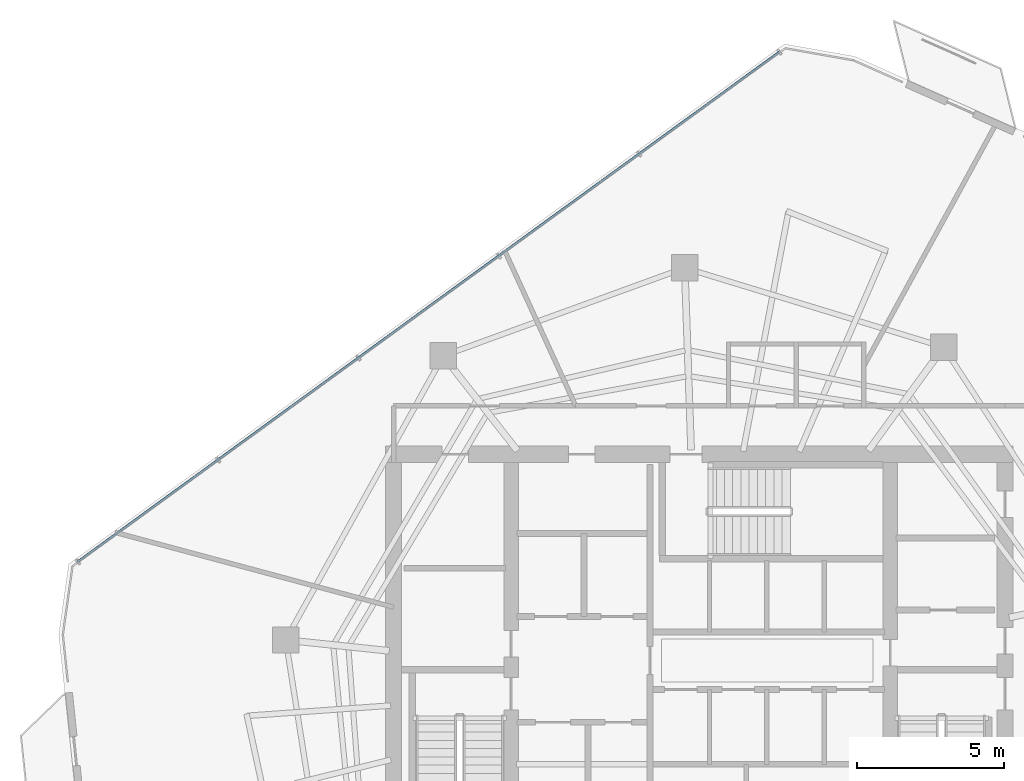
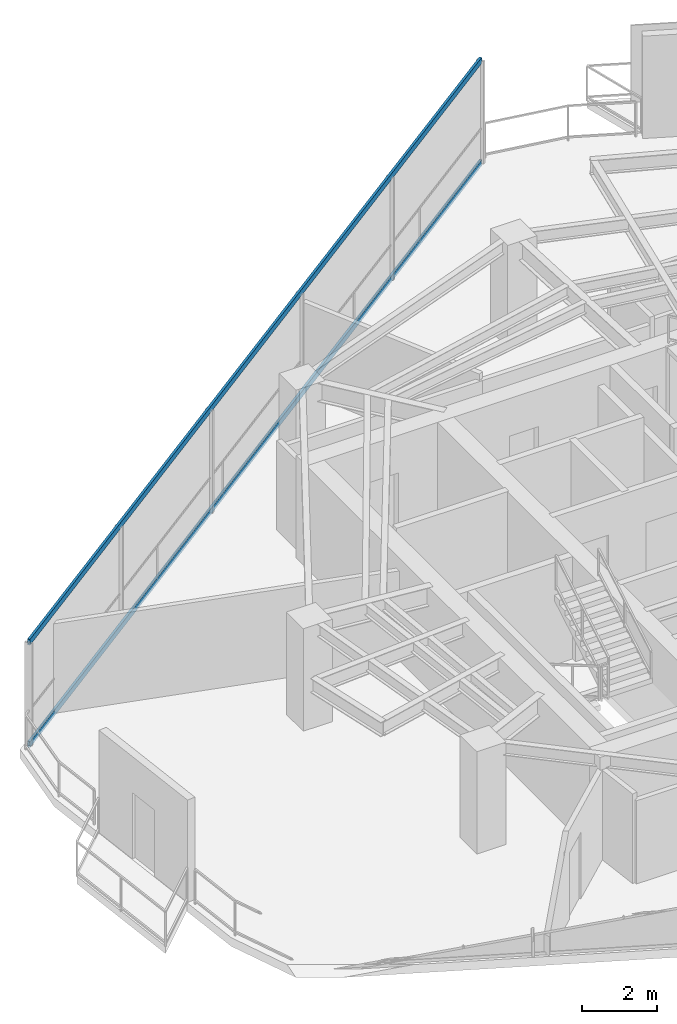
# One storey, part 12 of 20: 2 members, 1 element without a shape of its own.
"""IFC4 building model written with IfcOpenShell, lengths in metres."""

import ifcopenshell
import ifcopenshell.guid

model = None  # the IFC model being written
_history = None  # IfcOwnerHistory: only IFC2X3 demands one
_inside = {}  # id of a spatial element -> (the spatial element, [elements in it])
_under = {}  # id of a project, library or spatial element -> (it, [spatial elements below it])
_declared = {}  # id of a project -> (the project, [libraries it declares])
_typed = {}  # id of a type object -> (the type object, [elements of that type])
_made_of = {}  # id of a material, layer set ... -> (it, [elements and type objects made of it])


def new_model(schema):
    """Start an empty IFC model of exactly this schema.

    Asked for "IFC4X3", IfcOpenShell would pick the latest addendum, in which some entities
    have other attributes; the version numbers below select the first issue.
    IFC2X3 requires an IfcOwnerHistory on every rooted entity: one is made here for all.
    """
    global model, _history
    if schema == "IFC4X3":
        model = ifcopenshell.file(schema_version=(4, 3, 0, 0))
    else:
        model = ifcopenshell.file(schema=schema)
    _inside.clear()
    _under.clear()
    _declared.clear()
    _typed.clear()
    _made_of.clear()
    _history = None
    if model.schema == "IFC2X3":
        org = make("IfcOrganization", Name="unknown")
        user = make(
            "IfcPersonAndOrganization",
            ThePerson=make("IfcPerson", FamilyName="unknown"),
            TheOrganization=org,
        )
        app = make(
            "IfcApplication",
            ApplicationDeveloper=org,
            Version="unknown",
            ApplicationFullName="unknown",
            ApplicationIdentifier="unknown",
        )
        _history = make(
            "IfcOwnerHistory",
            OwningUser=user,
            OwningApplication=app,
            ChangeAction="ADDED",
            CreationDate=0,
        )
    return model


def make(cls, **values):
    """One entity of the class cls with the attributes given. An attribute that is None is left unset."""
    return model.create_entity(
        cls, **{name: value for name, value in values.items() if value is not None}
    )


def rooted(cls, **values):
    """An entity with a GlobalId (a new one), such as an element, a storey or a relation."""
    return make(cls, GlobalId=ifcopenshell.guid.new(), OwnerHistory=_history, **values)


def si_unit(unit_type, name, prefix=None):
    """IfcSIUnit, for example si_unit("LENGTHUNIT", "METRE", prefix="MILLI")."""
    return make("IfcSIUnit", UnitType=unit_type, Prefix=prefix, Name=name)


def assignment(units):
    """IfcUnitAssignment: the units of a project."""
    return None if units is None else make("IfcUnitAssignment", Units=units)


def point(xyz):
    """IfcCartesianPoint."""
    return None if xyz is None else make("IfcCartesianPoint", Coordinates=xyz)


def direction(xyz):
    """IfcDirection."""
    return None if xyz is None else make("IfcDirection", DirectionRatios=xyz)


def frame(location, z_axis=None, x_axis=None):
    """IfcAxis2Placement3D, a coordinate frame: its origin and axes. An axis left out is left unset."""
    return make(
        "IfcAxis2Placement3D",
        Location=point(location),
        Axis=direction(z_axis),
        RefDirection=direction(x_axis),
    )


def frame_2d(location, x_axis=None):
    """IfcAxis2Placement2D, a coordinate frame in the plane: its origin and x axis."""
    return make(
        "IfcAxis2Placement2D", Location=point(location), RefDirection=direction(x_axis)
    )


def origin():
    """The frame at (0, 0, 0) with its axes left unset."""
    return frame((0.0, 0.0, 0.0))


def origin_2d():
    """The frame at (0, 0) in the plane with its x axis left unset."""
    return frame_2d((0.0, 0.0))


def place(relative_to, where):
    """IfcLocalPlacement: puts the frame where relative to a parent placement (None: the world)."""
    return make(
        "IfcLocalPlacement", PlacementRelTo=relative_to, RelativePlacement=where
    )


def context(
    kind, dimensions, precision=None, world=None, true_north=None, identifier=None
):
    """IfcGeometricRepresentationContext, for example the 3D "Model" context."""
    return make(
        "IfcGeometricRepresentationContext",
        ContextIdentifier=identifier,
        ContextType=kind,
        CoordinateSpaceDimension=dimensions,
        Precision=precision,
        WorldCoordinateSystem=world,
        TrueNorth=true_north,
    )


def subcontext(parent, identifier, kind, view, scale=None):
    """IfcGeometricRepresentationSubContext, for example "Body" below "Model"."""
    return make(
        "IfcGeometricRepresentationSubContext",
        ContextIdentifier=identifier,
        ContextType=kind,
        ParentContext=parent,
        TargetScale=scale,
        TargetView=view,
    )


def project(units=None, contexts=None):
    """IfcProject with its units and contexts."""
    return rooted(
        "IfcProject",
        Name="project",
        RepresentationContexts=contexts,
        UnitsInContext=assignment(units),
    )


def spatial(cls, under=None, at=None, **own):
    """A site, building, storey or space (cls), placed at a placement, below another one or the project."""
    s = rooted(cls, ObjectPlacement=at, **own)
    if under is not None:
        _under.setdefault(under.id(), (under, []))[1].append(s)
    return s


def profile(cls, at=None, kind="AREA", **sizes):
    """A parametric profile (cls). Its sizes go by their IFC names, for example OverallWidth=200.0."""
    return make(cls, ProfileType=kind, Position=at, **sizes)


def hollow_rectangle(**sizes):
    """IfcRectangleHollowProfileDef."""
    return profile("IfcRectangleHollowProfileDef", **sizes)


def extrude(swept, where, along, depth):
    """IfcExtrudedAreaSolid: the profile swept, set in the frame where, extruded along a direction by depth."""
    return make(
        "IfcExtrudedAreaSolid",
        SweptArea=swept,
        Position=where,
        ExtrudedDirection=direction(along),
        Depth=depth,
    )


def shape(context_of_items, identifier, shape_type, items):
    """IfcShapeRepresentation: the items that make up one representation, for example the "Body"."""
    return make(
        "IfcShapeRepresentation",
        ContextOfItems=context_of_items,
        RepresentationIdentifier=identifier,
        RepresentationType=shape_type,
        Items=items,
    )


def material(Name=None, Category=None):
    """IfcMaterial."""
    return make("IfcMaterial", Name=Name, Category=Category)


def layer(
    of_material, thickness, ventilated=None, Name=None, Category=None, Priority=None
):
    """IfcMaterialLayer: one layer of a wall or slab, of a material (None: an air gap)."""
    return make(
        "IfcMaterialLayer",
        Material=of_material,
        LayerThickness=thickness,
        IsVentilated=ventilated,
        Name=Name,
        Category=Category,
        Priority=Priority,
    )


def layer_set(layers, Name=None):
    """IfcMaterialLayerSet."""
    return make("IfcMaterialLayerSet", MaterialLayers=layers, LayerSetName=Name)


def material_profile(
    of_material, cross_section, Name=None, Category=None, Priority=None
):
    """IfcMaterialProfile: a cross section and its material."""
    return make(
        "IfcMaterialProfile",
        Name=Name,
        Material=of_material,
        Profile=cross_section,
        Priority=Priority,
        Category=Category,
    )


def profile_set(profiles, Name=None, composite=None):
    """IfcMaterialProfileSet."""
    return make(
        "IfcMaterialProfileSet",
        Name=Name,
        MaterialProfiles=profiles,
        CompositeProfile=composite,
    )


def made_of(thing, what):
    """Note that an element or type object is made of a material, layer set ...; save() writes the relation."""
    if what is not None:
        _made_of.setdefault(what.id(), (what, []))[1].append(thing)
    return thing


def type_object(cls, material=None, **own):
    """A type object (cls), such as IfcWallType, which elements share."""
    return made_of(rooted(cls, **own), material)


def element(
    cls,
    number,
    at=None,
    inside=None,
    cuts=None,
    type_object=None,
    material=None,
    context=None,
    identifier="Body",
    shape_type=None,
    held_by="IfcProductDefinitionShape",
    body=None,
    shapes=None,
    **own,
):
    """One element of the class cls, such as IfcWall. Its Tag is "e" and its number.

    at: its placement. inside: the storey or other place that contains it. cuts: it is an
    opening in that element (IfcRelVoidsElement). A single representation is given by context,
    identifier, shape_type and body (its items); several are given by shapes. held_by: the class
    of the entity that holds the representations. save() writes the other relations.
    """
    e = rooted(cls, Tag="e%d" % number, ObjectPlacement=at, **own)
    if body is not None:
        shapes = [shape(context, identifier, shape_type, body)]
    if shapes is not None:
        e.Representation = make(held_by, Representations=shapes)
    if inside is not None:
        _inside.setdefault(inside.id(), (inside, []))[1].append(e)
    if cuts is not None:
        rooted(
            "IfcRelVoidsElement", RelatingBuildingElement=cuts, RelatedOpeningElement=e
        )
    if type_object is not None:
        _typed.setdefault(type_object.id(), (type_object, []))[1].append(e)
    return made_of(e, material)


def aggregate(whole, parts):
    """IfcRelAggregates: a whole, such as a stair, and the parts it consists of."""
    return rooted("IfcRelAggregates", RelatingObject=whole, RelatedObjects=parts)


def save(model, path):
    """Write the relations noted so far, then the file.

    IfcRelAggregates (storeys below a building ...), IfcRelContainedInSpatialStructure (elements
    in a storey), IfcRelDefinesByType, IfcRelAssociatesMaterial and IfcRelDeclares: one each for
    every whole, place, type object, material and project.
    """
    for whole, parts in _under.values():
        aggregate(whole, parts)
    for where, things in _inside.values():
        rooted(
            "IfcRelContainedInSpatialStructure",
            RelatedElements=things,
            RelatingStructure=where,
        )
    for kind, things in _typed.values():
        rooted("IfcRelDefinesByType", RelatedObjects=things, RelatingType=kind)
    for what, things in _made_of.values():
        rooted("IfcRelAssociatesMaterial", RelatedObjects=things, RelatingMaterial=what)
    for by, libraries in _declared.values():
        rooted("IfcRelDeclares", RelatingContext=by, RelatedDefinitions=libraries)
    model.write(path)


model = new_model("IFC4")

# Units and contexts
model_context = context("Model", 3, precision=1e-05, world=origin(), true_north=direction((0.0, 1.0)))
body_context = subcontext(model_context, "Body", "Model", "MODEL_VIEW")
ifc_project = project(units=[si_unit("LENGTHUNIT", "METRE"), si_unit("AREAUNIT", "SQUARE_METRE"), si_unit("VOLUMEUNIT", "CUBIC_METRE"), si_unit("PLANEANGLEUNIT", "RADIAN"), si_unit("MASSUNIT", "GRAM", prefix="KILO")], contexts=[model_context])

# Site, building, storey
site_placement = place(None, origin())
site = spatial("IfcSite", under=ifc_project, at=site_placement, CompositionType="ELEMENT")
building_placement = place(site_placement, origin())
building = spatial("IfcBuilding", under=site, at=building_placement, Name="Qarnah Convention Tower", CompositionType="ELEMENT")
storey_placement = place(building_placement, frame((0.0, 0.0, 202.199951171875)))
storey = spatial("IfcBuildingStorey", under=building, at=storey_placement, Name="L54", CompositionType="ELEMENT", Elevation=202.199951171875)

# Curtain wall, members
ifc_material_1 = material(Name="Tempered Low-E dark glass", Category="glass")
ifc_layer = layer(ifc_material_1, 0.174072265625)
ifc_layer_set = layer_set([ifc_layer], Name="Tempered Low-E dark glass")
curtain_wall_type = type_object("IfcCurtainWallType", Name="CWS-04", PredefinedType="NOTDEFINED", material=ifc_layer_set)
curtain_wall_placement = place(storey_placement, origin())
curtain_wall = element("IfcCurtainWall", 1, at=curtain_wall_placement, inside=storey, type_object=curtain_wall_type, Name="L54 unitised curtain wall CW-L54-F3", PredefinedType="NOTDEFINED")
ifc_material_2 = material(Name="Black anodised aluminium", Category="aluminium")
ifc_material_profile = material_profile(ifc_material_2, hollow_rectangle(XDim=0.074951171875, YDim=0.18994140625, WallThickness=0.0048828125, at=origin_2d()), Name="TRN-75X190")
ifc_profile_set = profile_set([ifc_material_profile], Name="Black anodised aluminium")
member_type = type_object("IfcMemberType", Name="TRN-T4", PredefinedType="USERDEFINED", material=ifc_profile_set)
member_1_placement = place(storey_placement, frame((16.052978515625, 30.54296875, 0.0), z_axis=(0.809005376982, 0.587801241929, 0.0), x_axis=(-0.587801241929, 0.809005376982, 0.0)))
member_1 = element("IfcMember", 2, at=member_1_placement, type_object=member_type, Name="CW-L54-F3 transom 1", ObjectType="TRANSOM", PredefinedType="USERDEFINED", context=body_context, shape_type="SweptSolid", body=[
    extrude(hollow_rectangle(XDim=0.074951171875, YDim=0.18994140625, WallThickness=0.0048828125, at=origin_2d()), origin(), (0.0, 0.0, 1.0), 29.511474609375),
])
member_2_placement = place(storey_placement, frame((16.052978515625, 30.54296875, 3.320068359375), z_axis=(0.809005376982, 0.587801241929, 0.0), x_axis=(-0.587801241929, 0.809005376982, 0.0)))
member_2 = element("IfcMember", 3, at=member_2_placement, type_object=member_type, Name="CW-L54-F3 transom 2", ObjectType="TRANSOM", PredefinedType="USERDEFINED", context=body_context, shape_type="SweptSolid", body=[
    extrude(hollow_rectangle(XDim=0.074951171875, YDim=0.18994140625, WallThickness=0.0048828125, at=origin_2d()), origin(), (0.0, 0.0, 1.0), 29.511474609375),
])
aggregate(curtain_wall, [member_1, member_2])

save(model, "model.ifc")
